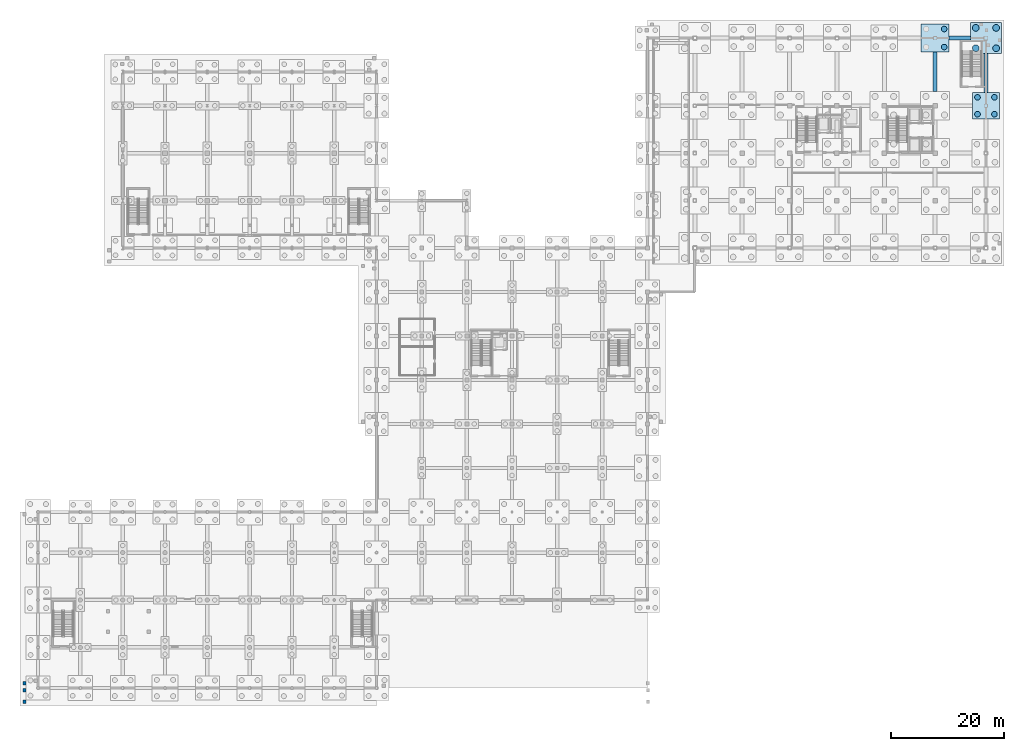
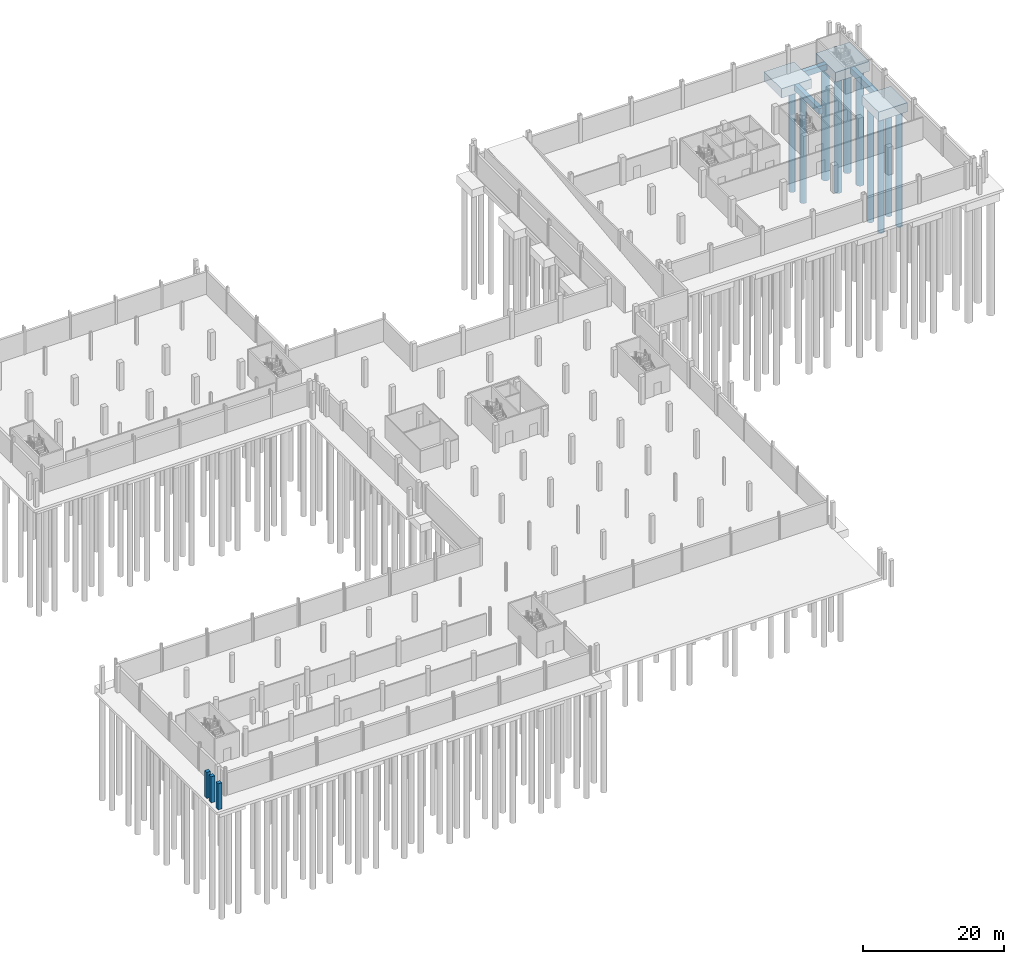
# One storey, part 12 of 44: 10 piles, 6 footings, 3 columns.
"""IFC4 building model written with IfcOpenShell, lengths in metres."""

import ifcopenshell
import ifcopenshell.guid

model = None  # the IFC model being written
_history = None  # IfcOwnerHistory: only IFC2X3 demands one
_inside = {}  # id of a spatial element -> (the spatial element, [elements in it])
_under = {}  # id of a project, library or spatial element -> (it, [spatial elements below it])
_declared = {}  # id of a project -> (the project, [libraries it declares])
_typed = {}  # id of a type object -> (the type object, [elements of that type])
_made_of = {}  # id of a material, layer set ... -> (it, [elements and type objects made of it])


def new_model(schema):
    """Start an empty IFC model of exactly this schema.

    Asked for "IFC4X3", IfcOpenShell would pick the latest addendum, in which some entities
    have other attributes; the version numbers below select the first issue.
    IFC2X3 requires an IfcOwnerHistory on every rooted entity: one is made here for all.
    """
    global model, _history
    if schema == "IFC4X3":
        model = ifcopenshell.file(schema_version=(4, 3, 0, 0))
    else:
        model = ifcopenshell.file(schema=schema)
    _inside.clear()
    _under.clear()
    _declared.clear()
    _typed.clear()
    _made_of.clear()
    _history = None
    if model.schema == "IFC2X3":
        org = make("IfcOrganization", Name="unknown")
        user = make(
            "IfcPersonAndOrganization",
            ThePerson=make("IfcPerson", FamilyName="unknown"),
            TheOrganization=org,
        )
        app = make(
            "IfcApplication",
            ApplicationDeveloper=org,
            Version="unknown",
            ApplicationFullName="unknown",
            ApplicationIdentifier="unknown",
        )
        _history = make(
            "IfcOwnerHistory",
            OwningUser=user,
            OwningApplication=app,
            ChangeAction="ADDED",
            CreationDate=0,
        )
    return model


def make(cls, **values):
    """One entity of the class cls with the attributes given. An attribute that is None is left unset."""
    return model.create_entity(
        cls, **{name: value for name, value in values.items() if value is not None}
    )


def rooted(cls, **values):
    """An entity with a GlobalId (a new one), such as an element, a storey or a relation."""
    return make(cls, GlobalId=ifcopenshell.guid.new(), OwnerHistory=_history, **values)


def si_unit(unit_type, name, prefix=None):
    """IfcSIUnit, for example si_unit("LENGTHUNIT", "METRE", prefix="MILLI")."""
    return make("IfcSIUnit", UnitType=unit_type, Prefix=prefix, Name=name)


def assignment(units):
    """IfcUnitAssignment: the units of a project."""
    return None if units is None else make("IfcUnitAssignment", Units=units)


def point(xyz):
    """IfcCartesianPoint."""
    return None if xyz is None else make("IfcCartesianPoint", Coordinates=xyz)


def direction(xyz):
    """IfcDirection."""
    return None if xyz is None else make("IfcDirection", DirectionRatios=xyz)


def frame(location, z_axis=None, x_axis=None):
    """IfcAxis2Placement3D, a coordinate frame: its origin and axes. An axis left out is left unset."""
    return make(
        "IfcAxis2Placement3D",
        Location=point(location),
        Axis=direction(z_axis),
        RefDirection=direction(x_axis),
    )


def frame_2d(location, x_axis=None):
    """IfcAxis2Placement2D, a coordinate frame in the plane: its origin and x axis."""
    return make(
        "IfcAxis2Placement2D", Location=point(location), RefDirection=direction(x_axis)
    )


def origin():
    """The frame at (0, 0, 0) with its axes left unset."""
    return frame((0.0, 0.0, 0.0))


def origin_2d():
    """The frame at (0, 0) in the plane with its x axis left unset."""
    return frame_2d((0.0, 0.0))


def place(relative_to, where):
    """IfcLocalPlacement: puts the frame where relative to a parent placement (None: the world)."""
    return make(
        "IfcLocalPlacement", PlacementRelTo=relative_to, RelativePlacement=where
    )


def context(
    kind, dimensions, precision=None, world=None, true_north=None, identifier=None
):
    """IfcGeometricRepresentationContext, for example the 3D "Model" context."""
    return make(
        "IfcGeometricRepresentationContext",
        ContextIdentifier=identifier,
        ContextType=kind,
        CoordinateSpaceDimension=dimensions,
        Precision=precision,
        WorldCoordinateSystem=world,
        TrueNorth=true_north,
    )


def subcontext(parent, identifier, kind, view, scale=None):
    """IfcGeometricRepresentationSubContext, for example "Body" below "Model"."""
    return make(
        "IfcGeometricRepresentationSubContext",
        ContextIdentifier=identifier,
        ContextType=kind,
        ParentContext=parent,
        TargetScale=scale,
        TargetView=view,
    )


def project(units=None, contexts=None):
    """IfcProject with its units and contexts."""
    return rooted(
        "IfcProject",
        Name="project",
        RepresentationContexts=contexts,
        UnitsInContext=assignment(units),
    )


def spatial(cls, under=None, at=None, **own):
    """A site, building, storey or space (cls), placed at a placement, below another one or the project."""
    s = rooted(cls, ObjectPlacement=at, **own)
    if under is not None:
        _under.setdefault(under.id(), (under, []))[1].append(s)
    return s


def polyline(points):
    """IfcPolyline through the points."""
    return make("IfcPolyline", Points=[point(p) for p in points])


def profile(cls, at=None, kind="AREA", **sizes):
    """A parametric profile (cls). Its sizes go by their IFC names, for example OverallWidth=200.0."""
    return make(cls, ProfileType=kind, Position=at, **sizes)


def rectangle(**sizes):
    """IfcRectangleProfileDef."""
    return profile("IfcRectangleProfileDef", **sizes)


def circle(**sizes):
    """IfcCircleProfileDef."""
    return profile("IfcCircleProfileDef", **sizes)


def outline(outer, holes=None, kind="AREA"):
    """IfcArbitraryClosedProfileDef: a profile drawn as a closed curve; with holes, ...WithVoids."""
    if holes is None:
        return make("IfcArbitraryClosedProfileDef", ProfileType=kind, OuterCurve=outer)
    return make(
        "IfcArbitraryProfileDefWithVoids",
        ProfileType=kind,
        OuterCurve=outer,
        InnerCurves=holes,
    )


def extrude(swept, where, along, depth):
    """IfcExtrudedAreaSolid: the profile swept, set in the frame where, extruded along a direction by depth."""
    return make(
        "IfcExtrudedAreaSolid",
        SweptArea=swept,
        Position=where,
        ExtrudedDirection=direction(along),
        Depth=depth,
    )


def shape(context_of_items, identifier, shape_type, items):
    """IfcShapeRepresentation: the items that make up one representation, for example the "Body"."""
    return make(
        "IfcShapeRepresentation",
        ContextOfItems=context_of_items,
        RepresentationIdentifier=identifier,
        RepresentationType=shape_type,
        Items=items,
    )


def material(Name=None, Category=None):
    """IfcMaterial."""
    return make("IfcMaterial", Name=Name, Category=Category)


def material_profile(
    of_material, cross_section, Name=None, Category=None, Priority=None
):
    """IfcMaterialProfile: a cross section and its material."""
    return make(
        "IfcMaterialProfile",
        Name=Name,
        Material=of_material,
        Profile=cross_section,
        Priority=Priority,
        Category=Category,
    )


def profile_set(profiles, Name=None, composite=None):
    """IfcMaterialProfileSet."""
    return make(
        "IfcMaterialProfileSet",
        Name=Name,
        MaterialProfiles=profiles,
        CompositeProfile=composite,
    )


def made_of(thing, what):
    """Note that an element or type object is made of a material, layer set ...; save() writes the relation."""
    if what is not None:
        _made_of.setdefault(what.id(), (what, []))[1].append(thing)
    return thing


def type_object(cls, material=None, **own):
    """A type object (cls), such as IfcWallType, which elements share."""
    return made_of(rooted(cls, **own), material)


def element(
    cls,
    number,
    at=None,
    inside=None,
    cuts=None,
    type_object=None,
    material=None,
    context=None,
    identifier="Body",
    shape_type=None,
    held_by="IfcProductDefinitionShape",
    body=None,
    shapes=None,
    **own,
):
    """One element of the class cls, such as IfcWall. Its Tag is "e" and its number.

    at: its placement. inside: the storey or other place that contains it. cuts: it is an
    opening in that element (IfcRelVoidsElement). A single representation is given by context,
    identifier, shape_type and body (its items); several are given by shapes. held_by: the class
    of the entity that holds the representations. save() writes the other relations.
    """
    e = rooted(cls, Tag="e%d" % number, ObjectPlacement=at, **own)
    if body is not None:
        shapes = [shape(context, identifier, shape_type, body)]
    if shapes is not None:
        e.Representation = make(held_by, Representations=shapes)
    if inside is not None:
        _inside.setdefault(inside.id(), (inside, []))[1].append(e)
    if cuts is not None:
        rooted(
            "IfcRelVoidsElement", RelatingBuildingElement=cuts, RelatedOpeningElement=e
        )
    if type_object is not None:
        _typed.setdefault(type_object.id(), (type_object, []))[1].append(e)
    return made_of(e, material)


def aggregate(whole, parts):
    """IfcRelAggregates: a whole, such as a stair, and the parts it consists of."""
    return rooted("IfcRelAggregates", RelatingObject=whole, RelatedObjects=parts)


def save(model, path):
    """Write the relations noted so far, then the file.

    IfcRelAggregates (storeys below a building ...), IfcRelContainedInSpatialStructure (elements
    in a storey), IfcRelDefinesByType, IfcRelAssociatesMaterial and IfcRelDeclares: one each for
    every whole, place, type object, material and project.
    """
    for whole, parts in _under.values():
        aggregate(whole, parts)
    for where, things in _inside.values():
        rooted(
            "IfcRelContainedInSpatialStructure",
            RelatedElements=things,
            RelatingStructure=where,
        )
    for kind, things in _typed.values():
        rooted("IfcRelDefinesByType", RelatedObjects=things, RelatingType=kind)
    for what, things in _made_of.values():
        rooted("IfcRelAssociatesMaterial", RelatedObjects=things, RelatingMaterial=what)
    for by, libraries in _declared.values():
        rooted("IfcRelDeclares", RelatingContext=by, RelatedDefinitions=libraries)
    model.write(path)


model = new_model("IFC4")

# Units and contexts
model_context = context("Model", 3, precision=1e-05, world=origin(), true_north=direction((0.0, 1.0)))
body_context = subcontext(model_context, "Body", "Model", "MODEL_VIEW")
ifc_project = project(units=[si_unit("LENGTHUNIT", "METRE"), si_unit("AREAUNIT", "SQUARE_METRE"), si_unit("VOLUMEUNIT", "CUBIC_METRE"), si_unit("PLANEANGLEUNIT", "RADIAN"), si_unit("MASSUNIT", "GRAM", prefix="KILO")], contexts=[model_context])

# Site, building, storey
site_placement = place(None, origin())
site = spatial("IfcSite", under=ifc_project, at=site_placement, CompositionType="ELEMENT")
building_placement = place(site_placement, origin())
building = spatial("IfcBuilding", under=site, at=building_placement, Name="Yukiwa Park Conservatory and Herbarium", CompositionType="ELEMENT")
storey_placement = place(building_placement, frame((0.0, 0.0, -4.800048828125)))
storey = spatial("IfcBuildingStorey", under=building, at=storey_placement, Name="B1", CompositionType="ELEMENT", Elevation=-4.800048828125)

# Footings
ifc_material_1 = material(Name="Concrete C35", Category="concrete")
footing_type_1 = type_object("IfcFootingType", Name="FT-BEAM-700X1000", PredefinedType="FOOTING_BEAM", material=ifc_material_1)
footing_1_placement = place(storey_placement, frame((0.0, 0.0, -1.449951171875)))
element("IfcFooting", 1, at=footing_1_placement, inside=storey, type_object=footing_type_1, Name="Foundation tie beam X-159", PredefinedType="FOOTING_BEAM", context=body_context, shape_type="SweptSolid", body=[
    extrude(outline(polyline([(161.469970703125, 114.85009765625), (165.219970703125, 114.85009765625), (165.219970703125, 115.550048828125), (161.469970703125, 115.550048828125), (161.469970703125, 114.85009765625)])), origin(), (0.0, 0.0, 1.0), 1.0),
])
footing_2_placement = place(storey_placement, frame((0.0, 0.0, -1.449951171875)))
element("IfcFooting", 2, at=footing_2_placement, inside=storey, type_object=footing_type_1, Name="Foundation tie beam Y-306", PredefinedType="FOOTING_BEAM", context=body_context, shape_type="SweptSolid", body=[
    extrude(outline(polyline([(158.64990234375, 105.760009765625), (159.35009765625, 105.760009765625), (159.35009765625, 112.72998046875), (158.64990234375, 112.72998046875), (158.64990234375, 105.760009765625)])), origin(), (0.0, 0.0, 1.0), 1.0),
])
footing_3_placement = place(storey_placement, frame((0.0, 0.0, -1.449951171875)))
element("IfcFooting", 3, at=footing_3_placement, inside=storey, type_object=footing_type_1, Name="Foundation tie beam Y-310", PredefinedType="FOOTING_BEAM", context=body_context, shape_type="SweptSolid", body=[
    extrude(outline(polyline([(167.64990234375, 105.570068359375), (168.35009765625, 105.570068359375), (168.35009765625, 112.419921875), (167.64990234375, 112.419921875), (167.64990234375, 105.570068359375)])), origin(), (0.0, 0.0, 1.0), 1.0),
])
ifc_material_2 = material(Name="Concrete C35", Category="concrete")
footing_type_2 = type_object("IfcFootingType", Name="FT-PC-4740X4740X1600", PredefinedType="PILE_CAP", material=ifc_material_2)
footing_4_placement = place(storey_placement, frame((168.0, 103.199951171875, -2.050048828125), z_axis=(0.0, 0.0, 1.0), x_axis=(1.0, 0.0, 0.0)))
element("IfcFooting", 4, at=footing_4_placement, inside=storey, type_object=footing_type_2, Name="Reinforced concrete pile cap 178", PredefinedType="PILE_CAP", context=body_context, shape_type="SweptSolid", body=[
    extrude(rectangle(XDim=4.739990234375, YDim=4.739990234375, at=origin_2d()), origin(), (0.0, 0.0, 1.0), 1.60009765625),
])
ifc_material_3 = material(Name="Concrete C35", Category="concrete")
footing_type_3 = type_object("IfcFootingType", Name="FT-PC-4940X4940X1600", PredefinedType="PILE_CAP", material=ifc_material_3)
footing_5_placement = place(storey_placement, frame((159.0, 115.199951171875, -2.050048828125), z_axis=(0.0, 0.0, 1.0), x_axis=(1.0, 0.0, 0.0)))
element("IfcFooting", 5, at=footing_5_placement, inside=storey, type_object=footing_type_3, Name="Reinforced concrete pile cap 174", PredefinedType="PILE_CAP", context=body_context, shape_type="SweptSolid", body=[
    extrude(rectangle(XDim=4.93994140625, YDim=4.93994140625, at=origin_2d()), origin(), (0.0, 0.0, 1.0), 1.60009765625),
])
ifc_material_4 = material(Name="Concrete C35", Category="concrete")
footing_type_4 = type_object("IfcFootingType", Name="FT-PC-5560X5560X1700", PredefinedType="PILE_CAP", material=ifc_material_4)
footing_6_placement = place(storey_placement, frame((168.0, 115.199951171875, -2.14990234375), z_axis=(0.0, 0.0, 1.0), x_axis=(1.0, 0.0, 0.0)))
element("IfcFooting", 6, at=footing_6_placement, inside=storey, type_object=footing_type_4, Name="Reinforced concrete pile cap 179", PredefinedType="PILE_CAP", context=body_context, shape_type="SweptSolid", body=[
    extrude(rectangle(XDim=5.56005859375, YDim=5.56005859375, at=origin_2d()), origin(), (0.0, 0.0, 1.0), 1.699951171875),
])

# Piles
ifc_material_5 = material(Name="Concrete C35", Category="concrete")
ifc_material_profile_1 = material_profile(ifc_material_5, circle(Radius=0.5, at=origin_2d()), Name="PILE D1000")
ifc_profile_set_1 = profile_set([ifc_material_profile_1], Name="Concrete C35")
pile_type_1 = type_object("IfcPileType", Name="PL-BORED-D1000", PredefinedType="BORED", material=ifc_profile_set_1)
for number, where, z_axis, x_axis, name in (
    (7, (160.60009765625, 113.60009765625, -1.949951171875), (0.0, 0.0, -1.0), (1.0, 0.0, 0.0), "Bored cast-in-place pile 174.2"),
    (8, (160.60009765625, 116.800048828125, -1.949951171875), (0.0, 0.0, -1.0), (1.0, 0.0, 0.0), "Bored cast-in-place pile 174.4"),
    (9, (166.5, 101.699951171875, -1.949951171875), (0.0, 0.0, -1.0), (1.0, 0.0, 0.0), "Bored cast-in-place pile 178.1"),
    (10, (169.5, 101.699951171875, -1.949951171875), (0.0, 0.0, -1.0), (1.0, 0.0, 0.0), "Bored cast-in-place pile 178.2"),
    (11, (166.5, 104.699951171875, -1.949951171875), (0.0, 0.0, -1.0), (1.0, 0.0, 0.0), "Bored cast-in-place pile 178.3"),
    (12, (169.5, 104.699951171875, -1.949951171875), (0.0, 0.0, -1.0), (1.0, 0.0, 0.0), "Bored cast-in-place pile 178.4"),
):
    element("IfcPile", number, at=place(storey_placement, frame(where, z_axis=z_axis, x_axis=x_axis)), inside=storey, type_object=pile_type_1, Name=name, PredefinedType="BORED", context=body_context, shape_type="SweptSolid", body=[
        extrude(circle(Radius=0.5, at=origin_2d()), origin(), (0.0, 0.0, 1.0), 20.050048828125),
    ])
ifc_material_6 = material(Name="Concrete C35", Category="concrete")
ifc_material_profile_2 = material_profile(ifc_material_6, circle(Radius=0.60009765625, at=origin_2d()), Name="PILE D1200")
ifc_profile_set_2 = profile_set([ifc_material_profile_2], Name="Concrete C35")
pile_type_2 = type_object("IfcPileType", Name="PL-BORED-D1200", PredefinedType="BORED", material=ifc_profile_set_2)
for number, where, z_axis, x_axis, name in (
    (13, (166.199951171875, 113.39990234375, -2.050048828125), (0.0, 0.0, -1.0), (1.0, 0.0, 0.0), "Bored cast-in-place pile 179.1"),
    (14, (169.800048828125, 113.39990234375, -2.050048828125), (0.0, 0.0, -1.0), (1.0, 0.0, 0.0), "Bored cast-in-place pile 179.2"),
    (15, (166.199951171875, 117.0, -2.050048828125), (0.0, 0.0, -1.0), (1.0, 0.0, 0.0), "Bored cast-in-place pile 179.3"),
    (16, (169.800048828125, 117.0, -2.050048828125), (0.0, 0.0, -1.0), (1.0, 0.0, 0.0), "Bored cast-in-place pile 179.4"),
):
    element("IfcPile", number, at=place(storey_placement, frame(where, z_axis=z_axis, x_axis=x_axis)), inside=storey, type_object=pile_type_2, Name=name, PredefinedType="BORED", context=body_context, shape_type="SweptSolid", body=[
        extrude(circle(Radius=0.60009765625, at=origin_2d()), origin(), (0.0, 0.0, 1.0), 19.949951171875),
    ])

# Columns
ifc_material_7 = material(Name="Concrete C40", Category="concrete")
ifc_material_profile_3 = material_profile(ifc_material_7, rectangle(XDim=0.60009765625, YDim=0.60009765625, at=origin_2d()), Name="RC 600x600")
ifc_profile_set_3 = profile_set([ifc_material_profile_3], Name="Concrete C40")
column_type = type_object("IfcColumnType", Name="COL-B1-RC600", PredefinedType="COLUMN", material=ifc_profile_set_3)
for number, where, z_axis, x_axis, name in (
    (17, (-2.39990234375, -2.39990234375, 0.0), (0.0, 0.0, 1.0), (1.0, 0.0, 0.0), "Exterior frost apron pier 13"),
    (18, (-2.39990234375, -0.39990234375, 0.0), (0.0, 0.0, 1.0), (1.0, 0.0, 0.0), "Exterior frost apron pier 16"),
    (19, (-2.39990234375, 0.85400390625, 0.0), (0.0, 0.0, 1.0), (1.0, 0.0, 0.0), "Exterior frost apron pier 21"),
):
    element("IfcColumn", number, at=place(storey_placement, frame(where, z_axis=z_axis, x_axis=x_axis)), inside=storey, type_object=column_type, Name=name, PredefinedType="COLUMN", context=body_context, shape_type="SweptSolid", body=[
        extrude(rectangle(XDim=0.60009765625, YDim=0.60009765625, at=origin_2d()), origin(), (0.0, 0.0, 1.0), 4.56005859375),
    ])

save(model, "model.ifc")
